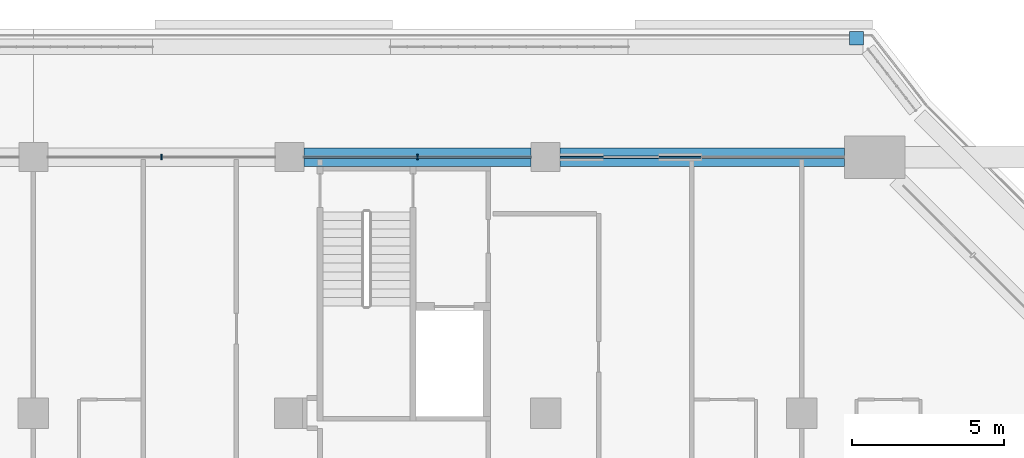
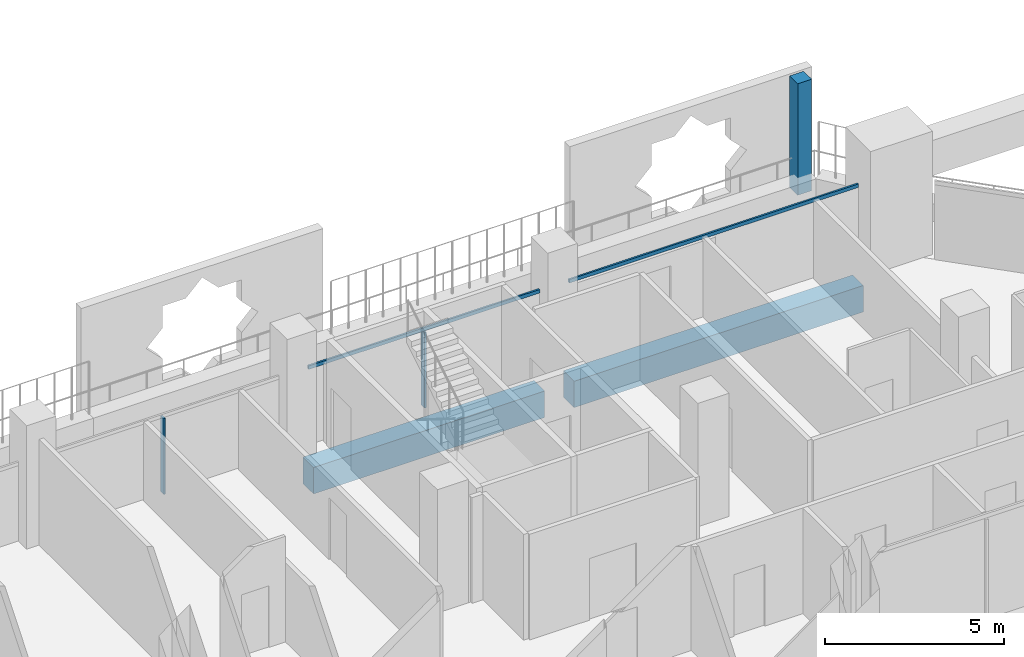
# One storey, part 7 of 24: 5 members, 2 beams, 2 elements without a shape of their own.
"""IFC4 building model written with IfcOpenShell, lengths in metres."""

import ifcopenshell
import ifcopenshell.guid

model = None  # the IFC model being written
_history = None  # IfcOwnerHistory: only IFC2X3 demands one
_inside = {}  # id of a spatial element -> (the spatial element, [elements in it])
_under = {}  # id of a project, library or spatial element -> (it, [spatial elements below it])
_declared = {}  # id of a project -> (the project, [libraries it declares])
_typed = {}  # id of a type object -> (the type object, [elements of that type])
_made_of = {}  # id of a material, layer set ... -> (it, [elements and type objects made of it])


def new_model(schema):
    """Start an empty IFC model of exactly this schema.

    Asked for "IFC4X3", IfcOpenShell would pick the latest addendum, in which some entities
    have other attributes; the version numbers below select the first issue.
    IFC2X3 requires an IfcOwnerHistory on every rooted entity: one is made here for all.
    """
    global model, _history
    if schema == "IFC4X3":
        model = ifcopenshell.file(schema_version=(4, 3, 0, 0))
    else:
        model = ifcopenshell.file(schema=schema)
    _inside.clear()
    _under.clear()
    _declared.clear()
    _typed.clear()
    _made_of.clear()
    _history = None
    if model.schema == "IFC2X3":
        org = make("IfcOrganization", Name="unknown")
        user = make(
            "IfcPersonAndOrganization",
            ThePerson=make("IfcPerson", FamilyName="unknown"),
            TheOrganization=org,
        )
        app = make(
            "IfcApplication",
            ApplicationDeveloper=org,
            Version="unknown",
            ApplicationFullName="unknown",
            ApplicationIdentifier="unknown",
        )
        _history = make(
            "IfcOwnerHistory",
            OwningUser=user,
            OwningApplication=app,
            ChangeAction="ADDED",
            CreationDate=0,
        )
    return model


def make(cls, **values):
    """One entity of the class cls with the attributes given. An attribute that is None is left unset."""
    return model.create_entity(
        cls, **{name: value for name, value in values.items() if value is not None}
    )


def rooted(cls, **values):
    """An entity with a GlobalId (a new one), such as an element, a storey or a relation."""
    return make(cls, GlobalId=ifcopenshell.guid.new(), OwnerHistory=_history, **values)


def si_unit(unit_type, name, prefix=None):
    """IfcSIUnit, for example si_unit("LENGTHUNIT", "METRE", prefix="MILLI")."""
    return make("IfcSIUnit", UnitType=unit_type, Prefix=prefix, Name=name)


def assignment(units):
    """IfcUnitAssignment: the units of a project."""
    return None if units is None else make("IfcUnitAssignment", Units=units)


def point(xyz):
    """IfcCartesianPoint."""
    return None if xyz is None else make("IfcCartesianPoint", Coordinates=xyz)


def direction(xyz):
    """IfcDirection."""
    return None if xyz is None else make("IfcDirection", DirectionRatios=xyz)


def frame(location, z_axis=None, x_axis=None):
    """IfcAxis2Placement3D, a coordinate frame: its origin and axes. An axis left out is left unset."""
    return make(
        "IfcAxis2Placement3D",
        Location=point(location),
        Axis=direction(z_axis),
        RefDirection=direction(x_axis),
    )


def frame_2d(location, x_axis=None):
    """IfcAxis2Placement2D, a coordinate frame in the plane: its origin and x axis."""
    return make(
        "IfcAxis2Placement2D", Location=point(location), RefDirection=direction(x_axis)
    )


def origin():
    """The frame at (0, 0, 0) with its axes left unset."""
    return frame((0.0, 0.0, 0.0))


def origin_2d():
    """The frame at (0, 0) in the plane with its x axis left unset."""
    return frame_2d((0.0, 0.0))


def place(relative_to, where):
    """IfcLocalPlacement: puts the frame where relative to a parent placement (None: the world)."""
    return make(
        "IfcLocalPlacement", PlacementRelTo=relative_to, RelativePlacement=where
    )


def context(
    kind, dimensions, precision=None, world=None, true_north=None, identifier=None
):
    """IfcGeometricRepresentationContext, for example the 3D "Model" context."""
    return make(
        "IfcGeometricRepresentationContext",
        ContextIdentifier=identifier,
        ContextType=kind,
        CoordinateSpaceDimension=dimensions,
        Precision=precision,
        WorldCoordinateSystem=world,
        TrueNorth=true_north,
    )


def subcontext(parent, identifier, kind, view, scale=None):
    """IfcGeometricRepresentationSubContext, for example "Body" below "Model"."""
    return make(
        "IfcGeometricRepresentationSubContext",
        ContextIdentifier=identifier,
        ContextType=kind,
        ParentContext=parent,
        TargetScale=scale,
        TargetView=view,
    )


def project(units=None, contexts=None):
    """IfcProject with its units and contexts."""
    return rooted(
        "IfcProject",
        Name="project",
        RepresentationContexts=contexts,
        UnitsInContext=assignment(units),
    )


def spatial(cls, under=None, at=None, **own):
    """A site, building, storey or space (cls), placed at a placement, below another one or the project."""
    s = rooted(cls, ObjectPlacement=at, **own)
    if under is not None:
        _under.setdefault(under.id(), (under, []))[1].append(s)
    return s


def profile(cls, at=None, kind="AREA", **sizes):
    """A parametric profile (cls). Its sizes go by their IFC names, for example OverallWidth=200.0."""
    return make(cls, ProfileType=kind, Position=at, **sizes)


def rectangle(**sizes):
    """IfcRectangleProfileDef."""
    return profile("IfcRectangleProfileDef", **sizes)


def extrude(swept, where, along, depth):
    """IfcExtrudedAreaSolid: the profile swept, set in the frame where, extruded along a direction by depth."""
    return make(
        "IfcExtrudedAreaSolid",
        SweptArea=swept,
        Position=where,
        ExtrudedDirection=direction(along),
        Depth=depth,
    )


def shape(context_of_items, identifier, shape_type, items):
    """IfcShapeRepresentation: the items that make up one representation, for example the "Body"."""
    return make(
        "IfcShapeRepresentation",
        ContextOfItems=context_of_items,
        RepresentationIdentifier=identifier,
        RepresentationType=shape_type,
        Items=items,
    )


def material(Name=None, Category=None):
    """IfcMaterial."""
    return make("IfcMaterial", Name=Name, Category=Category)


def layer(
    of_material, thickness, ventilated=None, Name=None, Category=None, Priority=None
):
    """IfcMaterialLayer: one layer of a wall or slab, of a material (None: an air gap)."""
    return make(
        "IfcMaterialLayer",
        Material=of_material,
        LayerThickness=thickness,
        IsVentilated=ventilated,
        Name=Name,
        Category=Category,
        Priority=Priority,
    )


def layer_set(layers, Name=None):
    """IfcMaterialLayerSet."""
    return make("IfcMaterialLayerSet", MaterialLayers=layers, LayerSetName=Name)


def material_profile(
    of_material, cross_section, Name=None, Category=None, Priority=None
):
    """IfcMaterialProfile: a cross section and its material."""
    return make(
        "IfcMaterialProfile",
        Name=Name,
        Material=of_material,
        Profile=cross_section,
        Priority=Priority,
        Category=Category,
    )


def profile_set(profiles, Name=None, composite=None):
    """IfcMaterialProfileSet."""
    return make(
        "IfcMaterialProfileSet",
        Name=Name,
        MaterialProfiles=profiles,
        CompositeProfile=composite,
    )


def made_of(thing, what):
    """Note that an element or type object is made of a material, layer set ...; save() writes the relation."""
    if what is not None:
        _made_of.setdefault(what.id(), (what, []))[1].append(thing)
    return thing


def type_object(cls, material=None, **own):
    """A type object (cls), such as IfcWallType, which elements share."""
    return made_of(rooted(cls, **own), material)


def element(
    cls,
    number,
    at=None,
    inside=None,
    cuts=None,
    type_object=None,
    material=None,
    context=None,
    identifier="Body",
    shape_type=None,
    held_by="IfcProductDefinitionShape",
    body=None,
    shapes=None,
    **own,
):
    """One element of the class cls, such as IfcWall. Its Tag is "e" and its number.

    at: its placement. inside: the storey or other place that contains it. cuts: it is an
    opening in that element (IfcRelVoidsElement). A single representation is given by context,
    identifier, shape_type and body (its items); several are given by shapes. held_by: the class
    of the entity that holds the representations. save() writes the other relations.
    """
    e = rooted(cls, Tag="e%d" % number, ObjectPlacement=at, **own)
    if body is not None:
        shapes = [shape(context, identifier, shape_type, body)]
    if shapes is not None:
        e.Representation = make(held_by, Representations=shapes)
    if inside is not None:
        _inside.setdefault(inside.id(), (inside, []))[1].append(e)
    if cuts is not None:
        rooted(
            "IfcRelVoidsElement", RelatingBuildingElement=cuts, RelatedOpeningElement=e
        )
    if type_object is not None:
        _typed.setdefault(type_object.id(), (type_object, []))[1].append(e)
    return made_of(e, material)


def aggregate(whole, parts):
    """IfcRelAggregates: a whole, such as a stair, and the parts it consists of."""
    return rooted("IfcRelAggregates", RelatingObject=whole, RelatedObjects=parts)


def save(model, path):
    """Write the relations noted so far, then the file.

    IfcRelAggregates (storeys below a building ...), IfcRelContainedInSpatialStructure (elements
    in a storey), IfcRelDefinesByType, IfcRelAssociatesMaterial and IfcRelDeclares: one each for
    every whole, place, type object, material and project.
    """
    for whole, parts in _under.values():
        aggregate(whole, parts)
    for where, things in _inside.values():
        rooted(
            "IfcRelContainedInSpatialStructure",
            RelatedElements=things,
            RelatingStructure=where,
        )
    for kind, things in _typed.values():
        rooted("IfcRelDefinesByType", RelatedObjects=things, RelatingType=kind)
    for what, things in _made_of.values():
        rooted("IfcRelAssociatesMaterial", RelatedObjects=things, RelatingMaterial=what)
    for by, libraries in _declared.values():
        rooted("IfcRelDeclares", RelatingContext=by, RelatedDefinitions=libraries)
    model.write(path)


model = new_model("IFC4")

# Units and contexts
model_context = context("Model", 3, precision=1e-05, world=origin(), true_north=direction((0.0, 1.0)))
body_context = subcontext(model_context, "Body", "Model", "MODEL_VIEW")
ifc_project = project(units=[si_unit("LENGTHUNIT", "METRE"), si_unit("AREAUNIT", "SQUARE_METRE"), si_unit("VOLUMEUNIT", "CUBIC_METRE"), si_unit("PLANEANGLEUNIT", "RADIAN"), si_unit("MASSUNIT", "GRAM", prefix="KILO")], contexts=[model_context])

# Site, building, storey
site_placement = place(None, origin())
site = spatial("IfcSite", under=ifc_project, at=site_placement, CompositionType="ELEMENT")
building_placement = place(site_placement, origin())
building = spatial("IfcBuilding", under=site, at=building_placement, Name="Kawkab Arch Medical Tower", CompositionType="ELEMENT")
storey_placement = place(building_placement, frame((0.0, 0.0, 162.60009765625)))
storey = spatial("IfcBuildingStorey", under=building, at=storey_placement, Name="L37", CompositionType="ELEMENT", Elevation=162.60009765625)

# Curtain wall, members
ifc_material_1 = material(Name="Bronze anodised aluminium curtain wall frame", Category="aluminium")
ifc_layer_1 = layer(ifc_material_1, 0.159912109375)
ifc_layer_set_1 = layer_set([ifc_layer_1], Name="Bronze anodised aluminium curtain wall frame")
curtain_wall_type_1 = type_object("IfcCurtainWallType", Name="CW1 ward curtain wall", PredefinedType="NOTDEFINED", material=ifc_layer_set_1)
placement = place(storey_placement, origin())
curtain_wall_1 = element("IfcCurtainWall", 1, at=placement, inside=storey, type_object=curtain_wall_type_1, Name="CW1 Ward curtain wall R09", PredefinedType="NOTDEFINED")
ifc_material_2 = material(Name="Bronze anodised aluminium curtain wall frame", Category="aluminium")
ifc_material_profile_1 = material_profile(ifc_material_2, rectangle(XDim=0.179931640625, YDim=0.06005859375, at=origin_2d()), Name="AL 60x180")
ifc_profile_set_1 = profile_set([ifc_material_profile_1], Name="Bronze anodised aluminium curtain wall frame")
member_type_1 = type_object("IfcMemberType", Name="CW1 mullion 60 x 180", PredefinedType="MULLION", material=ifc_profile_set_1)
member_1_placement = place(storey_placement, frame((46.199951171875, 0.0, 0.0), z_axis=(0.0, 0.0, 1.0), x_axis=(0.0, -1.0, 0.0)))
member_1 = element("IfcMember", 2, at=member_1_placement, type_object=member_type_1, Name="CW1 mullion 2.1", PredefinedType="MULLION", context=body_context, shape_type="SweptSolid", body=[
    extrude(rectangle(XDim=0.179931640625, YDim=0.06005859375, at=origin_2d()), origin(), (0.0, 0.0, 1.0), 2.579833984375),
])
member_2_placement = place(storey_placement, frame((37.800048828125, 0.0, 0.0), z_axis=(0.0, 0.0, 1.0), x_axis=(0.0, -1.0, 0.0)))
member_2 = element("IfcMember", 3, at=member_2_placement, type_object=member_type_1, Name="CW1 mullion 3.1", PredefinedType="MULLION", context=body_context, shape_type="SweptSolid", body=[
    extrude(rectangle(XDim=0.179931640625, YDim=0.06005859375, at=origin_2d()), origin(), (0.0, 0.0, 1.0), 2.579833984375),
])
ifc_material_3 = material(Name="Bronze anodised aluminium curtain wall frame", Category="aluminium")
ifc_material_profile_2 = material_profile(ifc_material_3, rectangle(XDim=0.06005859375, YDim=0.1201171875, at=origin_2d()), Name="AL 60x120")
ifc_profile_set_2 = profile_set([ifc_material_profile_2], Name="Bronze anodised aluminium curtain wall frame")
member_type_2 = type_object("IfcMemberType", Name="CW1 transom 120 x 60", PredefinedType="USERDEFINED", material=ifc_profile_set_2)
member_3_placement = place(storey_placement, frame((60.199951171875, 0.0, 2.639892578125), z_axis=(-1.0, 0.0, 0.0), x_axis=(0.0, -1.0, 0.0)))
member_3 = element("IfcMember", 4, at=member_3_placement, type_object=member_type_2, Name="CW1 transom 1", ObjectType="TRANSOM", PredefinedType="USERDEFINED", context=body_context, shape_type="SweptSolid", body=[
    extrude(rectangle(XDim=0.06005859375, YDim=0.1201171875, at=origin_2d()), origin(), (0.0, 0.0, 1.0), 9.324951171875),
])
member_4_placement = place(storey_placement, frame((49.925048828125, 0.0, 2.639892578125), z_axis=(-1.0, 0.0, 0.0), x_axis=(0.0, -1.0, 0.0)))
member_4 = element("IfcMember", 5, at=member_4_placement, type_object=member_type_2, Name="CW1 transom 2", ObjectType="TRANSOM", PredefinedType="USERDEFINED", context=body_context, shape_type="SweptSolid", body=[
    extrude(rectangle(XDim=0.06005859375, YDim=0.1201171875, at=origin_2d()), origin(), (0.0, 0.0, 1.0), 7.449951171875),
])
aggregate(curtain_wall_1, [member_3, member_4, member_1, member_2])

# Curtain wall, member
ifc_material_4 = material(Name="Bronze anodised aluminium climber frame, planted", Category="aluminium")
ifc_layer_2 = layer(ifc_material_4, 0.449951171875)
ifc_layer_set_2 = layer_set([ifc_layer_2], Name="Bronze anodised aluminium climber frame, planted")
curtain_wall_type_2 = type_object("IfcCurtainWallType", Name="Planted climber frame", PredefinedType="NOTDEFINED", material=ifc_layer_set_2)
curtain_wall_2 = element("IfcCurtainWall", 6, at=placement, inside=storey, type_object=curtain_wall_type_2, Name="Planted climber frame L37", PredefinedType="NOTDEFINED")
ifc_material_5 = material(Name="Bronze anodised aluminium climber frame, planted", Category="aluminium")
ifc_material_profile_3 = material_profile(ifc_material_5, rectangle(XDim=0.449951171875, YDim=0.449951171875, at=origin_2d()), Name="Post 450x450")
ifc_profile_set_3 = profile_set([ifc_material_profile_3], Name="Bronze anodised aluminium climber frame, planted")
member_type_3 = type_object("IfcMemberType", Name="Planted climber post 450 x 450", PredefinedType="MULLION", material=ifc_profile_set_3)
member_5_placement = place(storey_placement, frame((60.60302734375, 3.89990234375, 0.0), z_axis=(0.0, 0.0, 1.0), x_axis=(1.0, 0.0, 0.0)))
member_5 = element("IfcMember", 7, at=member_5_placement, type_object=member_type_3, Name="Planted climber post L37.LOG-01-02.2", PredefinedType="MULLION", context=body_context, shape_type="SweptSolid", body=[
    extrude(rectangle(XDim=0.449951171875, YDim=0.449951171875, at=origin_2d()), origin(), (0.0, 0.0, 1.0), 3.7998046875),
])
aggregate(curtain_wall_2, [member_5])

# Beams
ifc_material_6 = material(Name="Concrete C50/60", Category="concrete")
ifc_material_profile_4 = material_profile(ifc_material_6, rectangle(XDim=0.60009765625, YDim=0.89990234375, at=origin_2d()), Name="RC 600x900")
ifc_profile_set_4 = profile_set([ifc_material_profile_4], Name="Concrete C50/60")
beam_type = type_object("IfcBeamType", Name="RC 600x900 beam C50/60", PredefinedType="BEAM", material=ifc_profile_set_4)
beam_1_placement = place(storey_placement, frame((42.47509765625, 0.0, -1.050048828125), z_axis=(1.0, 0.0, 0.0), x_axis=(0.0, 1.0, 0.0)))
element("IfcBeam", 8, at=beam_1_placement, inside=storey, type_object=beam_type, Name="Overhang edge beam L37-06", PredefinedType="BEAM", context=body_context, shape_type="SweptSolid", body=[
    extrude(rectangle(XDim=0.60009765625, YDim=0.89990234375, at=origin_2d()), origin(), (0.0, 0.0, 1.0), 7.449951171875),
])
beam_2_placement = place(storey_placement, frame((50.875, 0.0, -1.050048828125), z_axis=(1.0, 0.0, 0.0), x_axis=(0.0, 1.0, 0.0)))
element("IfcBeam", 9, at=beam_2_placement, inside=storey, type_object=beam_type, Name="Overhang edge beam L37-07", PredefinedType="BEAM", context=body_context, shape_type="SweptSolid", body=[
    extrude(rectangle(XDim=0.60009765625, YDim=0.89990234375, at=origin_2d()), origin(), (0.0, 0.0, 1.0), 9.324951171875),
])

save(model, "model.ifc")
